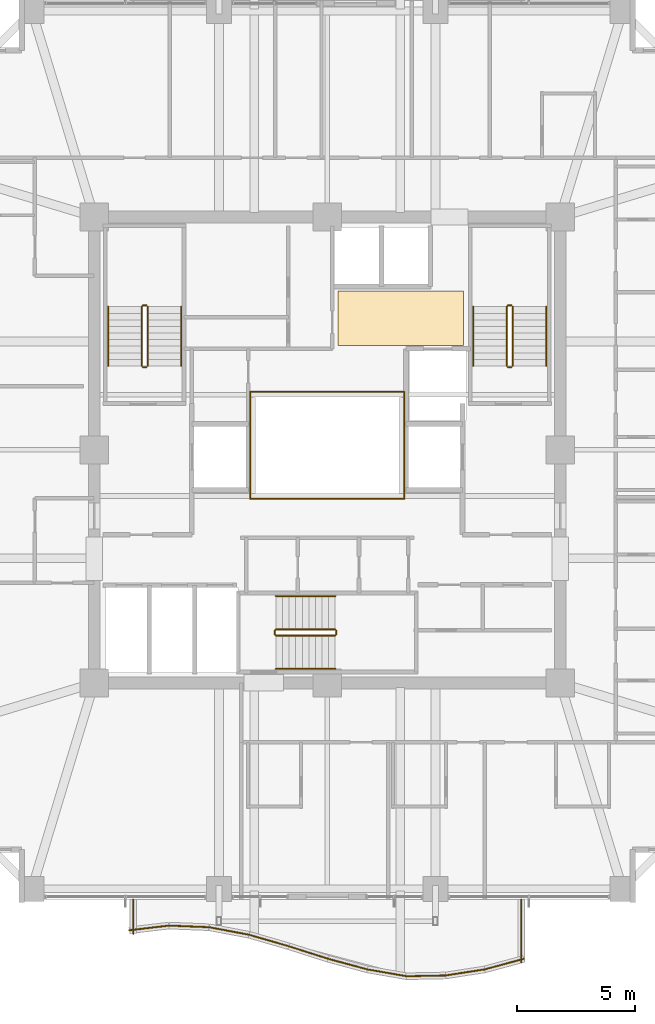
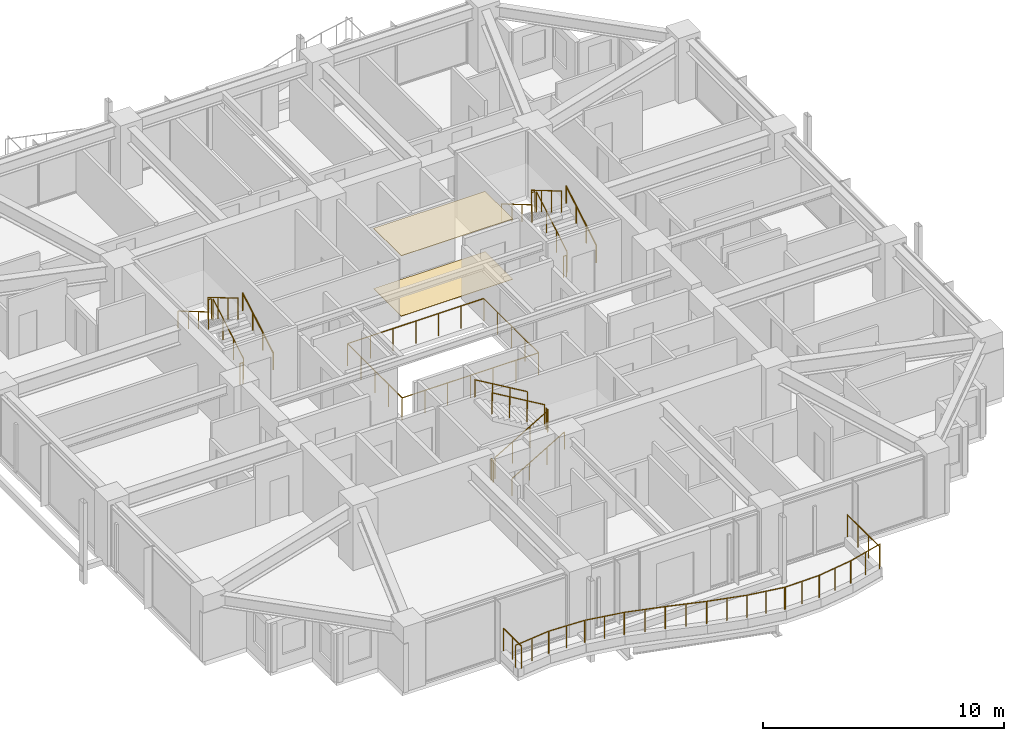
# One storey, part 33 of 34: 34 railings, 2 coverings.
"""IFC4 building model written with IfcOpenShell, lengths in metres."""

from ifc_helpers import new_model, si_unit, direction, frame, origin, origin_2d, place, context, subcontext, project, spatial, polyline, circle, outline, extrude, material, layer, layer_set, type_object, element, save


model = new_model("IFC4")

# Units and contexts
model_context = context("Model", 3, precision=1e-05, world=origin(), true_north=direction((0.0, 1.0)))
body_context = subcontext(model_context, "Body", "Model", "MODEL_VIEW")
ifc_project = project(units=[si_unit("LENGTHUNIT", "METRE"), si_unit("AREAUNIT", "SQUARE_METRE"), si_unit("VOLUMEUNIT", "CUBIC_METRE"), si_unit("PLANEANGLEUNIT", "RADIAN"), si_unit("MASSUNIT", "GRAM", prefix="KILO")], contexts=[model_context])

# Site, building, storey
site_placement = place(None, origin())
site = spatial("IfcSite", under=ifc_project, at=site_placement, CompositionType="ELEMENT")
building_placement = place(site_placement, origin())
building = spatial("IfcBuilding", under=site, at=building_placement, Name="Kolvaren Belvedere", CompositionType="ELEMENT")
storey_placement = place(building_placement, frame((0.0, 0.0, 111.800048828125)))
storey = spatial("IfcBuildingStorey", under=building, at=storey_placement, Name="L32", CompositionType="ELEMENT", Elevation=111.800048828125)

# Coverings
ifc_material_1 = material(Name="Acoustic perforated gypsum board", Category="gypsum")
ifc_layer_1 = layer(ifc_material_1, 0.02490234375)
ifc_layer_set_1 = layer_set([ifc_layer_1], Name="Acoustic perforated gypsum board")
covering_type_1 = type_object("IfcCoveringType", Name="COV-CEIL-GYP", PredefinedType="CEILING", material=ifc_layer_set_1)
covering_1_placement = place(storey_placement, frame((0.0, 0.0, 3.054931640625)))
element("IfcCovering", 1, at=covering_1_placement, inside=storey, type_object=covering_type_1, Name="L32 Lift Lobby Acoustic Baffle Ceiling", PredefinedType="CEILING", context=body_context, shape_type="SweptSolid", body=[
    extrude(outline(polyline([(0.449951171875, 4.449951171875), (5.800048828125, 4.449951171875), (5.800048828125, 6.75), (0.449951171875, 6.75), (0.449951171875, 4.449951171875)])), origin(), (0.0, 0.0, 1.0), 0.02490234375),
])
ifc_material_2 = material(Name="Engineered Pacific white oak", Category="timber")
ifc_layer_2 = layer(ifc_material_2, 0.02001953125)
ifc_layer_set_2 = layer_set([ifc_layer_2], Name="Engineered Pacific white oak")
covering_type_2 = type_object("IfcCoveringType", Name="COV-FLR-OAK", PredefinedType="FLOORING", material=ifc_layer_set_2)
covering_2_placement = place(storey_placement, origin())
element("IfcCovering", 2, at=covering_2_placement, inside=storey, type_object=covering_type_2, Name="L32 Lift Lobby Finish Flooring", PredefinedType="FLOORING", context=body_context, shape_type="SweptSolid", body=[
    extrude(outline(polyline([(0.449951171875, 4.449951171875), (5.800048828125, 4.449951171875), (5.800048828125, 6.75), (0.449951171875, 6.75), (0.449951171875, 4.449951171875)])), origin(), (0.0, 0.0, 1.0), 0.02001953125),
])

# Railings
ifc_material_3 = material(Name="Laminated glass & stainless-steel cap rail", Category="steel")
railing_type_1 = type_object("IfcRailingType", Name="RL-ATR-1150", PredefinedType="BALUSTRADE", material=ifc_material_3)
for number, where, name in (
    (3, (-3.27001953125, 2.469970703125, 0.0), "L32 Atrium North Glass Balustrade"),
    (4, (-3.27001953125, -2.070068359375, 0.0), "L32 Atrium South Glass Balustrade"),
):
    element("IfcRailing", number, at=place(storey_placement, frame(where)), inside=storey, type_object=railing_type_1, Name=name, PredefinedType="BALUSTRADE", context=body_context, shape_type="SweptSolid", body=[
        extrude(circle(Radius=0.02392578125, at=origin_2d()), frame((0.0, 0.0, 1.1259765625), z_axis=(1.0, 0.0, 0.0), x_axis=(0.0, 1.0, 0.0)), (0.0, 0.0, 1.0), 6.5400390625),
        extrude(circle(Radius=0.02099609375, at=origin_2d()), origin(), (0.0, 0.0, 1.0), 1.101806640625),
        extrude(circle(Radius=0.02099609375, at=origin_2d()), frame((1.090087890625, 0.0, 0.0)), (0.0, 0.0, 1.0), 1.101806640625),
        extrude(circle(Radius=0.02099609375, at=origin_2d()), frame((2.179931640625, 0.0, 0.0)), (0.0, 0.0, 1.0), 1.101806640625),
        extrude(circle(Radius=0.02099609375, at=origin_2d()), frame((3.27001953125, 0.0, 0.0)), (0.0, 0.0, 1.0), 1.101806640625),
        extrude(circle(Radius=0.02099609375, at=origin_2d()), frame((4.360107421875, 0.0, 0.0)), (0.0, 0.0, 1.0), 1.101806640625),
        extrude(circle(Radius=0.02099609375, at=origin_2d()), frame((5.449951171875, 0.0, 0.0)), (0.0, 0.0, 1.0), 1.101806640625),
        extrude(circle(Radius=0.02099609375, at=origin_2d()), frame((6.5400390625, 0.0, 0.0)), (0.0, 0.0, 1.0), 1.101806640625),
    ])
for number, where, name in (
    (5, (-3.27001953125, -2.070068359375, 0.0), "L32 Atrium West Glass Balustrade"),
    (6, (3.27001953125, -2.070068359375, 0.0), "L32 Atrium East Glass Balustrade"),
):
    element("IfcRailing", number, at=place(storey_placement, frame(where)), inside=storey, type_object=railing_type_1, Name=name, PredefinedType="BALUSTRADE", context=body_context, shape_type="SweptSolid", body=[
        extrude(circle(Radius=0.02392578125, at=origin_2d()), frame((0.0, 0.0, 1.1259765625), z_axis=(0.0, 1.0, 0.0), x_axis=(-1.0, 0.0, 0.0)), (0.0, 0.0, 1.0), 4.5400390625),
        extrude(circle(Radius=0.02099609375, at=origin_2d()), origin(), (0.0, 0.0, 1.0), 1.101806640625),
        extrude(circle(Radius=0.02099609375, at=origin_2d()), frame((0.0, 1.135009765625, 0.0)), (0.0, 0.0, 1.0), 1.101806640625),
        extrude(circle(Radius=0.02099609375, at=origin_2d()), frame((0.0, 2.27001953125, 0.0)), (0.0, 0.0, 1.0), 1.101806640625),
        extrude(circle(Radius=0.02099609375, at=origin_2d()), frame((0.0, 3.405029296875, 0.0)), (0.0, 0.0, 1.0), 1.101806640625),
        extrude(circle(Radius=0.02099609375, at=origin_2d()), frame((0.0, 4.5400390625, 0.0)), (0.0, 0.0, 1.0), 1.101806640625),
    ])
ifc_material_4 = material(Name="Anodised pale-metal aluminium & laminated glass guard", Category="aluminium")
railing_type_2 = type_object("IfcRailingType", Name="RL-GUARD-1150", PredefinedType="GUARDRAIL", material=ifc_material_4)
railing_1_placement = place(storey_placement, frame((-8.418701171875, -20.407470703125, 0.3798828125)))
element("IfcRailing", 7, at=railing_1_placement, inside=storey, type_object=railing_type_2, Name="L32 Exterior Deck Safety Guard BAL-S-1", PredefinedType="GUARDRAIL", context=body_context, shape_type="SweptSolid", body=[
    extrude(circle(Radius=0.02392578125, at=origin_2d()), frame((0.0, 0.0, 1.1259765625), z_axis=(0.993142720498, 0.116908240605, 0.0), x_axis=(-0.116908240605, 0.993142720498, 0.0)), (0.0, 0.0, 1.0), 1.691650390625),
    extrude(circle(Radius=0.02099609375, at=origin_2d()), origin(), (0.0, 0.0, 1.0), 1.101806640625),
    extrude(circle(Radius=0.02099609375, at=origin_2d()), frame((0.83984375, 0.098876953125, 0.0)), (0.0, 0.0, 1.0), 1.101806640625),
    extrude(circle(Radius=0.02099609375, at=origin_2d()), frame((1.679931640625, 0.19775390625, 0.0)), (0.0, 0.0, 1.0), 1.101806640625),
])
railing_2_placement = place(storey_placement, frame((-6.713623046875, -20.20849609375, 0.3798828125)))
element("IfcRailing", 8, at=railing_2_placement, inside=storey, type_object=railing_type_2, Name="L32 Exterior Deck Safety Guard BAL-S-2", PredefinedType="GUARDRAIL", context=body_context, shape_type="SweptSolid", body=[
    extrude(circle(Radius=0.02392578125, at=origin_2d()), frame((0.0, 0.0, 1.1259765625), z_axis=(0.999196545286, -0.040078222133, 0.0), x_axis=(0.040078222133, 0.999196545286, 0.0)), (0.0, 0.0, 1.0), 1.681396484375),
    extrude(circle(Radius=0.02099609375, at=origin_2d()), origin(), (0.0, 0.0, 1.0), 1.101806640625),
    extrude(circle(Radius=0.02099609375, at=origin_2d()), frame((0.83984375, -0.03369140625, 0.0)), (0.0, 0.0, 1.0), 1.101806640625),
    extrude(circle(Radius=0.02099609375, at=origin_2d()), frame((1.679931640625, -0.0673828125, 0.0)), (0.0, 0.0, 1.0), 1.101806640625),
])
railing_3_placement = place(storey_placement, frame((-5.010498046875, -20.278564453125, 0.3798828125)))
element("IfcRailing", 9, at=railing_3_placement, inside=storey, type_object=railing_type_2, Name="L32 Exterior Deck Safety Guard BAL-S-3", PredefinedType="GUARDRAIL", context=body_context, shape_type="SweptSolid", body=[
    extrude(circle(Radius=0.02392578125, at=origin_2d()), frame((0.0, 0.0, 1.1259765625), z_axis=(0.982778293957, -0.184788595231, 0.0), x_axis=(0.184788595231, 0.982778293957, 0.0)), (0.0, 0.0, 1.0), 1.709716796875),
    extrude(circle(Radius=0.02099609375, at=origin_2d()), origin(), (0.0, 0.0, 1.0), 1.101806640625),
    extrude(circle(Radius=0.02099609375, at=origin_2d()), frame((0.840087890625, -0.157958984375, 0.0)), (0.0, 0.0, 1.0), 1.101806640625),
    extrude(circle(Radius=0.02099609375, at=origin_2d()), frame((1.68017578125, -0.31591796875, 0.0)), (0.0, 0.0, 1.0), 1.101806640625),
])
railing_4_placement = place(storey_placement, frame((-3.3154296875, -20.597900390625, 0.3798828125)))
element("IfcRailing", 10, at=railing_4_placement, inside=storey, type_object=railing_type_2, Name="L32 Exterior Deck Safety Guard BAL-S-4", PredefinedType="GUARDRAIL", context=body_context, shape_type="SweptSolid", body=[
    extrude(circle(Radius=0.02392578125, at=origin_2d()), frame((0.0, 0.0, 1.1259765625), z_axis=(0.96059663827, -0.277946215201, 0.0), x_axis=(0.277946215201, 0.96059663827, 0.0)), (0.0, 0.0, 1.0), 1.748779296875),
    extrude(circle(Radius=0.02099609375, at=origin_2d()), origin(), (0.0, 0.0, 1.0), 1.101806640625),
    extrude(circle(Radius=0.02099609375, at=origin_2d()), frame((0.83984375, -0.2431640625, 0.0)), (0.0, 0.0, 1.0), 1.101806640625),
    extrude(circle(Radius=0.02099609375, at=origin_2d()), frame((1.679931640625, -0.486083984375, 0.0)), (0.0, 0.0, 1.0), 1.101806640625),
])
railing_5_placement = place(storey_placement, frame((-1.63134765625, -21.085205078125, 0.3798828125)))
element("IfcRailing", 11, at=railing_5_placement, inside=storey, type_object=railing_type_2, Name="L32 Exterior Deck Safety Guard BAL-S-5", PredefinedType="GUARDRAIL", context=body_context, shape_type="SweptSolid", body=[
    extrude(circle(Radius=0.02392578125, at=origin_2d()), frame((0.0, 0.0, 1.1259765625), z_axis=(0.952661770826, -0.304032153573, 0.0), x_axis=(0.304032153573, 0.952661770826, 0.0)), (0.0, 0.0, 1.0), 1.763427734375),
    extrude(circle(Radius=0.02099609375, at=origin_2d()), origin(), (0.0, 0.0, 1.0), 1.101806640625),
    extrude(circle(Radius=0.02099609375, at=origin_2d()), frame((0.83984375, -0.26806640625, 0.0)), (0.0, 0.0, 1.0), 1.101806640625),
    extrude(circle(Radius=0.02099609375, at=origin_2d()), frame((1.679931640625, -0.5361328125, 0.0)), (0.0, 0.0, 1.0), 1.101806640625),
])
railing_6_placement = place(storey_placement, frame((0.041748046875, -21.619140625, 0.3798828125)))
element("IfcRailing", 12, at=railing_6_placement, inside=storey, type_object=railing_type_2, Name="L32 Exterior Deck Safety Guard BAL-S-6", PredefinedType="GUARDRAIL", context=body_context, shape_type="SweptSolid", body=[
    extrude(circle(Radius=0.02392578125, at=origin_2d()), frame((0.0, 0.0, 1.1259765625), z_axis=(0.965424492388, -0.260682852326, 0.0), x_axis=(0.260682852326, 0.965424492388, 0.0)), (0.0, 0.0, 1.0), 1.739990234375),
    extrude(circle(Radius=0.02099609375, at=origin_2d()), origin(), (0.0, 0.0, 1.0), 1.101806640625),
    extrude(circle(Radius=0.02099609375, at=origin_2d()), frame((0.83984375, -0.226806640625, 0.0)), (0.0, 0.0, 1.0), 1.101806640625),
    extrude(circle(Radius=0.02099609375, at=origin_2d()), frame((1.679931640625, -0.45361328125, 0.0)), (0.0, 0.0, 1.0), 1.101806640625),
])
railing_7_placement = place(storey_placement, frame((1.70751953125, -22.069580078125, 0.3798828125)))
element("IfcRailing", 13, at=railing_7_placement, inside=storey, type_object=railing_type_2, Name="L32 Exterior Deck Safety Guard BAL-S-7", PredefinedType="GUARDRAIL", context=body_context, shape_type="SweptSolid", body=[
    extrude(circle(Radius=0.02392578125, at=origin_2d()), frame((0.0, 0.0, 1.1259765625), z_axis=(0.985156010777, -0.171661394699, 0.0), x_axis=(0.171661394699, 0.985156010777, 0.0)), (0.0, 0.0, 1.0), 1.705322265625),
    extrude(circle(Radius=0.02099609375, at=origin_2d()), origin(), (0.0, 0.0, 1.0), 1.101806640625),
    extrude(circle(Radius=0.02099609375, at=origin_2d()), frame((0.83984375, -0.146484375, 0.0)), (0.0, 0.0, 1.0), 1.101806640625),
    extrude(circle(Radius=0.02099609375, at=origin_2d()), frame((1.679931640625, -0.292724609375, 0.0)), (0.0, 0.0, 1.0), 1.101806640625),
])
railing_8_placement = place(storey_placement, frame((3.356689453125, -22.360107421875, 0.3798828125)))
element("IfcRailing", 14, at=railing_8_placement, inside=storey, type_object=railing_type_2, Name="L32 Exterior Deck Safety Guard BAL-S-8", PredefinedType="GUARDRAIL", context=body_context, shape_type="SweptSolid", body=[
    extrude(circle(Radius=0.02392578125, at=origin_2d()), frame((0.0, 0.0, 1.1259765625), z_axis=(0.99979609052, 0.020193498486, 0.0), x_axis=(-0.020193498486, 0.99979609052, 0.0)), (0.0, 0.0, 1.0), 1.680419921875),
    extrude(circle(Radius=0.02099609375, at=origin_2d()), origin(), (0.0, 0.0, 1.0), 1.101806640625),
    extrude(circle(Radius=0.02099609375, at=origin_2d()), frame((0.840087890625, 0.01708984375, 0.0)), (0.0, 0.0, 1.0), 1.101806640625),
    extrude(circle(Radius=0.02099609375, at=origin_2d()), frame((1.68017578125, 0.033935546875, 0.0)), (0.0, 0.0, 1.0), 1.101806640625),
])
railing_9_placement = place(storey_placement, frame((5.015625, -22.327880859375, 0.3798828125)))
element("IfcRailing", 15, at=railing_9_placement, inside=storey, type_object=railing_type_2, Name="L32 Exterior Deck Safety Guard BAL-S-9", PredefinedType="GUARDRAIL", context=body_context, shape_type="SweptSolid", body=[
    extrude(circle(Radius=0.02392578125, at=origin_2d()), frame((0.0, 0.0, 1.1259765625), z_axis=(0.988341789514, 0.152251460091, 0.0), x_axis=(-0.152251460091, 0.988341789514, 0.0)), (0.0, 0.0, 1.0), 1.69970703125),
    extrude(circle(Radius=0.02099609375, at=origin_2d()), origin(), (0.0, 0.0, 1.0), 1.101806640625),
    extrude(circle(Radius=0.02099609375, at=origin_2d()), frame((0.83984375, 0.12939453125, 0.0)), (0.0, 0.0, 1.0), 1.101806640625),
    extrude(circle(Radius=0.02099609375, at=origin_2d()), frame((1.679931640625, 0.2587890625, 0.0)), (0.0, 0.0, 1.0), 1.101806640625),
])
railing_10_placement = place(storey_placement, frame((6.67822265625, -22.07275390625, 0.3798828125)))
element("IfcRailing", 16, at=railing_10_placement, inside=storey, type_object=railing_type_2, Name="L32 Exterior Deck Safety Guard BAL-S-10", PredefinedType="GUARDRAIL", context=body_context, shape_type="SweptSolid", body=[
    extrude(circle(Radius=0.02392578125, at=origin_2d()), frame((0.0, 0.0, 1.1259765625), z_axis=(0.965434024814, 0.260647546949, 0.0), x_axis=(-0.260647546949, 0.965434024814, 0.0)), (0.0, 0.0, 1.0), 1.740234375),
    extrude(circle(Radius=0.02099609375, at=origin_2d()), origin(), (0.0, 0.0, 1.0), 1.101806640625),
    extrude(circle(Radius=0.02099609375, at=origin_2d()), frame((0.840087890625, 0.226806640625, 0.0)), (0.0, 0.0, 1.0), 1.101806640625),
    extrude(circle(Radius=0.02099609375, at=origin_2d()), frame((1.68017578125, 0.45361328125, 0.0)), (0.0, 0.0, 1.0), 1.101806640625),
])
railing_11_placement = place(storey_placement, frame((8.239990234375, -21.773681640625, 0.3798828125)))
element("IfcRailing", 17, at=railing_11_placement, inside=storey, type_object=railing_type_2, Name="L32 Exterior Deck Safety Guard BAL-S-11", PredefinedType="GUARDRAIL", context=body_context, shape_type="SweptSolid", body=[
    extrude(circle(Radius=0.02392578125, at=origin_2d()), frame((0.0, 0.0, 1.1259765625), z_axis=(0.0, 1.0, 0.0), x_axis=(-1.0, 0.0, 0.0)), (0.0, 0.0, 1.0), 2.673583984375),
    extrude(circle(Radius=0.02099609375, at=origin_2d()), origin(), (0.0, 0.0, 1.0), 1.101806640625),
    extrude(circle(Radius=0.02099609375, at=origin_2d()), frame((0.0, 0.89111328125, 0.0)), (0.0, 0.0, 1.0), 1.101806640625),
    extrude(circle(Radius=0.02099609375, at=origin_2d()), frame((0.0, 1.782470703125, 0.0)), (0.0, 0.0, 1.0), 1.101806640625),
    extrude(circle(Radius=0.02099609375, at=origin_2d()), frame((0.0, 2.673583984375, 0.0)), (0.0, 0.0, 1.0), 1.101806640625),
])
railing_12_placement = place(storey_placement, frame((-8.239990234375, -19.10009765625, 0.3798828125)))
element("IfcRailing", 18, at=railing_12_placement, inside=storey, type_object=railing_type_2, Name="L32 Exterior Deck Safety Guard BAL-S-22", PredefinedType="GUARDRAIL", context=body_context, shape_type="SweptSolid", body=[
    extrude(circle(Radius=0.02392578125, at=origin_2d()), frame((0.0, 0.0, 1.1259765625), z_axis=(0.0, -1.0, 0.0), x_axis=(1.0, 0.0, 0.0)), (0.0, 0.0, 1.0), 1.46630859375),
    extrude(circle(Radius=0.02099609375, at=origin_2d()), origin(), (0.0, 0.0, 1.0), 1.101806640625),
    extrude(circle(Radius=0.02099609375, at=origin_2d()), frame((0.0, -0.733154296875, 0.0)), (0.0, 0.0, 1.0), 1.101806640625),
    extrude(circle(Radius=0.02099609375, at=origin_2d()), frame((0.0, -1.46630859375, 0.0)), (0.0, 0.0, 1.0), 1.101806640625),
])
ifc_material_5 = material(Name="Brushed stainless-steel handrail", Category="steel")
railing_type_3 = type_object("IfcRailingType", Name="RL-HANDRAIL-920", PredefinedType="HANDRAIL", material=ifc_material_5)
railing_13_placement = place(storey_placement, frame((-6.2099609375, 3.570068359375, 0.1650390625)))
element("IfcRailing", 19, at=railing_13_placement, inside=storey, type_object=railing_type_3, Name="L32 ST-1 stair handrail 1", PredefinedType="HANDRAIL", context=body_context, shape_type="SweptSolid", body=[
    extrude(circle(Radius=0.02392578125, at=origin_2d()), frame((0.0, 0.0, 0.8759765625), z_axis=(0.0, 0.861560626758, 0.507654692109), x_axis=(-1.0, 0.0, 0.0)), (0.0, 0.0, 1.0), 2.925048828125),
    extrude(circle(Radius=0.02099609375, at=origin_2d()), origin(), (0.0, 0.0, 1.0), 0.851806640625),
    extrude(circle(Radius=0.02099609375, at=origin_2d()), frame((0.0, 0.840087890625, 0.494873046875)), (0.0, 0.0, 1.0), 0.851806640625),
    extrude(circle(Radius=0.02099609375, at=origin_2d()), frame((0.0, 1.679931640625, 0.989990234375)), (0.0, 0.0, 1.0), 0.851806640625),
    extrude(circle(Radius=0.02099609375, at=origin_2d()), frame((0.0, 2.52001953125, 1.48486328125)), (0.0, 0.0, 1.0), 0.851806640625),
])
railing_14_placement = place(storey_placement, frame((-9.300048828125, 6.090087890625, 1.81494140625)))
element("IfcRailing", 20, at=railing_14_placement, inside=storey, type_object=railing_type_3, Name="L32 ST-1 stair handrail 2", PredefinedType="HANDRAIL", context=body_context, shape_type="SweptSolid", body=[
    extrude(circle(Radius=0.02392578125, at=origin_2d()), frame((0.0, 0.0, 0.8759765625), z_axis=(0.0, -0.86152411907, 0.507716645641), x_axis=(1.0, 0.0, 0.0)), (0.0, 0.0, 1.0), 2.925048828125),
    extrude(circle(Radius=0.02099609375, at=origin_2d()), origin(), (0.0, 0.0, 1.0), 0.851806640625),
    extrude(circle(Radius=0.02099609375, at=origin_2d()), frame((0.0, -0.840087890625, 0.4951171875)), (0.0, 0.0, 1.0), 0.851806640625),
    extrude(circle(Radius=0.02099609375, at=origin_2d()), frame((0.0, -1.679931640625, 0.989990234375)), (0.0, 0.0, 1.0), 0.851806640625),
    extrude(circle(Radius=0.02099609375, at=origin_2d()), frame((0.0, -2.52001953125, 1.485107421875)), (0.0, 0.0, 1.0), 0.851806640625),
])
railing_15_placement = place(storey_placement, frame((9.300048828125, 3.570068359375, 0.1650390625)))
element("IfcRailing", 21, at=railing_15_placement, inside=storey, type_object=railing_type_3, Name="L32 ST-2 stair handrail 1", PredefinedType="HANDRAIL", context=body_context, shape_type="SweptSolid", body=[
    extrude(circle(Radius=0.02392578125, at=origin_2d()), frame((0.0, 0.0, 0.8759765625), z_axis=(0.0, 0.861560626758, 0.507654692109), x_axis=(-1.0, 0.0, 0.0)), (0.0, 0.0, 1.0), 2.925048828125),
    extrude(circle(Radius=0.02099609375, at=origin_2d()), origin(), (0.0, 0.0, 1.0), 0.851806640625),
    extrude(circle(Radius=0.02099609375, at=origin_2d()), frame((0.0, 0.840087890625, 0.494873046875)), (0.0, 0.0, 1.0), 0.851806640625),
    extrude(circle(Radius=0.02099609375, at=origin_2d()), frame((0.0, 1.679931640625, 0.989990234375)), (0.0, 0.0, 1.0), 0.851806640625),
    extrude(circle(Radius=0.02099609375, at=origin_2d()), frame((0.0, 2.52001953125, 1.48486328125)), (0.0, 0.0, 1.0), 0.851806640625),
])
railing_16_placement = place(storey_placement, frame((6.2099609375, 6.090087890625, 1.81494140625)))
element("IfcRailing", 22, at=railing_16_placement, inside=storey, type_object=railing_type_3, Name="L32 ST-2 stair handrail 2", PredefinedType="HANDRAIL", context=body_context, shape_type="SweptSolid", body=[
    extrude(circle(Radius=0.02392578125, at=origin_2d()), frame((0.0, 0.0, 0.8759765625), z_axis=(0.0, -0.86152411907, 0.507716645641), x_axis=(1.0, 0.0, 0.0)), (0.0, 0.0, 1.0), 2.925048828125),
    extrude(circle(Radius=0.02099609375, at=origin_2d()), origin(), (0.0, 0.0, 1.0), 0.851806640625),
    extrude(circle(Radius=0.02099609375, at=origin_2d()), frame((0.0, -0.840087890625, 0.4951171875)), (0.0, 0.0, 1.0), 0.851806640625),
    extrude(circle(Radius=0.02099609375, at=origin_2d()), frame((0.0, -1.679931640625, 0.989990234375)), (0.0, 0.0, 1.0), 0.851806640625),
    extrude(circle(Radius=0.02099609375, at=origin_2d()), frame((0.0, -2.52001953125, 1.485107421875)), (0.0, 0.0, 1.0), 0.851806640625),
])
railing_17_placement = place(storey_placement, frame((-2.179931640625, -9.300048828125, 0.1650390625)))
element("IfcRailing", 23, at=railing_17_placement, inside=storey, type_object=railing_type_3, Name="L32 ST-3 stair handrail 1", PredefinedType="HANDRAIL", context=body_context, shape_type="SweptSolid", body=[
    extrude(circle(Radius=0.02392578125, at=origin_2d()), frame((0.0, 0.0, 0.8759765625), z_axis=(0.861560626758, 0.0, 0.507654692109), x_axis=(0.0, 1.0, 0.0)), (0.0, 0.0, 1.0), 2.925048828125),
    extrude(circle(Radius=0.02099609375, at=origin_2d()), origin(), (0.0, 0.0, 1.0), 0.851806640625),
    extrude(circle(Radius=0.02099609375, at=origin_2d()), frame((0.840087890625, 0.0, 0.494873046875)), (0.0, 0.0, 1.0), 0.851806640625),
    extrude(circle(Radius=0.02099609375, at=origin_2d()), frame((1.679931640625, 0.0, 0.989990234375)), (0.0, 0.0, 1.0), 0.851806640625),
    extrude(circle(Radius=0.02099609375, at=origin_2d()), frame((2.52001953125, 0.0, 1.48486328125)), (0.0, 0.0, 1.0), 0.851806640625),
])
railing_18_placement = place(storey_placement, frame((0.340087890625, -6.2099609375, 1.81494140625)))
element("IfcRailing", 24, at=railing_18_placement, inside=storey, type_object=railing_type_3, Name="L32 ST-3 stair handrail 2", PredefinedType="HANDRAIL", context=body_context, shape_type="SweptSolid", body=[
    extrude(circle(Radius=0.02392578125, at=origin_2d()), frame((0.0, 0.0, 0.8759765625), z_axis=(-0.86152411907, 0.0, 0.507716645641), x_axis=(0.0, -1.0, 0.0)), (0.0, 0.0, 1.0), 2.925048828125),
    extrude(circle(Radius=0.02099609375, at=origin_2d()), origin(), (0.0, 0.0, 1.0), 0.851806640625),
    extrude(circle(Radius=0.02099609375, at=origin_2d()), frame((-0.840087890625, 0.0, 0.4951171875)), (0.0, 0.0, 1.0), 0.851806640625),
    extrude(circle(Radius=0.02099609375, at=origin_2d()), frame((-1.679931640625, 0.0, 0.989990234375)), (0.0, 0.0, 1.0), 0.851806640625),
    extrude(circle(Radius=0.02099609375, at=origin_2d()), frame((-2.52001953125, 0.0, 1.485107421875)), (0.0, 0.0, 1.0), 0.851806640625),
])
ifc_material_6 = material(Name="Painted tubular steel stair guard", Category="steel")
railing_type_4 = type_object("IfcRailingType", Name="RL-STGUARD-1100", PredefinedType="GUARDRAIL", material=ifc_material_6)
railing_19_placement = place(storey_placement, frame((-7.6298828125, 3.570068359375, 0.1650390625)))
element("IfcRailing", 25, at=railing_19_placement, inside=storey, type_object=railing_type_4, Name="L32 ST-1 stair guard 1", PredefinedType="GUARDRAIL", context=body_context, shape_type="SweptSolid", body=[
    extrude(circle(Radius=0.02392578125, at=origin_2d()), frame((0.0, 0.0, 1.076171875), z_axis=(0.0, 0.861560626758, 0.507654692109), x_axis=(-1.0, 0.0, 0.0)), (0.0, 0.0, 1.0), 2.925048828125),
    extrude(circle(Radius=0.02099609375, at=origin_2d()), origin(), (0.0, 0.0, 1.0), 1.052001953125),
    extrude(circle(Radius=0.02099609375, at=origin_2d()), frame((0.0, 0.840087890625, 0.494873046875)), (0.0, 0.0, 1.0), 1.052001953125),
    extrude(circle(Radius=0.02099609375, at=origin_2d()), frame((0.0, 1.679931640625, 0.989990234375)), (0.0, 0.0, 1.0), 1.052001953125),
    extrude(circle(Radius=0.02099609375, at=origin_2d()), frame((0.0, 2.52001953125, 1.48486328125)), (0.0, 0.0, 1.0), 1.052001953125),
])
railing_20_placement = place(storey_placement, frame((-7.679931640625, 6.139892578125, 1.64990234375)))
element("IfcRailing", 26, at=railing_20_placement, inside=storey, type_object=railing_type_4, Name="L32 ST-1 stair guard 2", PredefinedType="GUARDRAIL", context=body_context, shape_type="SweptSolid", body=[
    extrude(circle(Radius=0.02392578125, at=origin_2d()), frame((0.0, 0.0, 1.076171875), z_axis=(-1.0, 0.0, 0.0), x_axis=(0.0, -1.0, 0.0)), (0.0, 0.0, 1.0), 0.150146484375),
    extrude(circle(Radius=0.02099609375, at=origin_2d()), origin(), (0.0, 0.0, 1.0), 1.052001953125),
    extrude(circle(Radius=0.02099609375, at=origin_2d()), frame((-0.150146484375, 0.0, 0.0)), (0.0, 0.0, 1.0), 1.052001953125),
])
railing_21_placement = place(storey_placement, frame((-7.8798828125, 6.090087890625, 1.81494140625)))
element("IfcRailing", 27, at=railing_21_placement, inside=storey, type_object=railing_type_4, Name="L32 ST-1 stair guard 3", PredefinedType="GUARDRAIL", context=body_context, shape_type="SweptSolid", body=[
    extrude(circle(Radius=0.02392578125, at=origin_2d()), frame((0.0, 0.0, 1.076171875), z_axis=(0.0, -0.86152411907, 0.507716645641), x_axis=(1.0, 0.0, 0.0)), (0.0, 0.0, 1.0), 2.925048828125),
    extrude(circle(Radius=0.02099609375, at=origin_2d()), origin(), (0.0, 0.0, 1.0), 1.052001953125),
    extrude(circle(Radius=0.02099609375, at=origin_2d()), frame((0.0, -0.840087890625, 0.4951171875)), (0.0, 0.0, 1.0), 1.052001953125),
    extrude(circle(Radius=0.02099609375, at=origin_2d()), frame((0.0, -1.679931640625, 0.989990234375)), (0.0, 0.0, 1.0), 1.052001953125),
    extrude(circle(Radius=0.02099609375, at=origin_2d()), frame((0.0, -2.52001953125, 1.485107421875)), (0.0, 0.0, 1.0), 1.052001953125),
])
railing_22_placement = place(storey_placement, frame((-7.679931640625, 3.52001953125, 0.0)))
element("IfcRailing", 28, at=railing_22_placement, inside=storey, type_object=railing_type_4, Name="L32 ST-1 stair guard 4", PredefinedType="GUARDRAIL", context=body_context, shape_type="SweptSolid", body=[
    extrude(circle(Radius=0.02392578125, at=origin_2d()), frame((0.0, 0.0, 1.076171875), z_axis=(-1.0, 0.0, 0.0), x_axis=(0.0, -1.0, 0.0)), (0.0, 0.0, 1.0), 0.150146484375),
    extrude(circle(Radius=0.02099609375, at=origin_2d()), origin(), (0.0, 0.0, 1.0), 1.052001953125),
    extrude(circle(Radius=0.02099609375, at=origin_2d()), frame((-0.150146484375, 0.0, 0.0)), (0.0, 0.0, 1.0), 1.052001953125),
])
railing_23_placement = place(storey_placement, frame((7.8798828125, 3.570068359375, 0.1650390625)))
element("IfcRailing", 29, at=railing_23_placement, inside=storey, type_object=railing_type_4, Name="L32 ST-2 stair guard 1", PredefinedType="GUARDRAIL", context=body_context, shape_type="SweptSolid", body=[
    extrude(circle(Radius=0.02392578125, at=origin_2d()), frame((0.0, 0.0, 1.076171875), z_axis=(0.0, 0.861560626758, 0.507654692109), x_axis=(-1.0, 0.0, 0.0)), (0.0, 0.0, 1.0), 2.925048828125),
    extrude(circle(Radius=0.02099609375, at=origin_2d()), origin(), (0.0, 0.0, 1.0), 1.052001953125),
    extrude(circle(Radius=0.02099609375, at=origin_2d()), frame((0.0, 0.840087890625, 0.494873046875)), (0.0, 0.0, 1.0), 1.052001953125),
    extrude(circle(Radius=0.02099609375, at=origin_2d()), frame((0.0, 1.679931640625, 0.989990234375)), (0.0, 0.0, 1.0), 1.052001953125),
    extrude(circle(Radius=0.02099609375, at=origin_2d()), frame((0.0, 2.52001953125, 1.48486328125)), (0.0, 0.0, 1.0), 1.052001953125),
])
railing_24_placement = place(storey_placement, frame((7.830078125, 6.139892578125, 1.64990234375)))
element("IfcRailing", 30, at=railing_24_placement, inside=storey, type_object=railing_type_4, Name="L32 ST-2 stair guard 2", PredefinedType="GUARDRAIL", context=body_context, shape_type="SweptSolid", body=[
    extrude(circle(Radius=0.02392578125, at=origin_2d()), frame((0.0, 0.0, 1.076171875), z_axis=(-1.0, 0.0, 0.0), x_axis=(0.0, -1.0, 0.0)), (0.0, 0.0, 1.0), 0.150146484375),
    extrude(circle(Radius=0.02099609375, at=origin_2d()), origin(), (0.0, 0.0, 1.0), 1.052001953125),
    extrude(circle(Radius=0.02099609375, at=origin_2d()), frame((-0.150146484375, 0.0, 0.0)), (0.0, 0.0, 1.0), 1.052001953125),
])
railing_25_placement = place(storey_placement, frame((7.6298828125, 6.090087890625, 1.81494140625)))
element("IfcRailing", 31, at=railing_25_placement, inside=storey, type_object=railing_type_4, Name="L32 ST-2 stair guard 3", PredefinedType="GUARDRAIL", context=body_context, shape_type="SweptSolid", body=[
    extrude(circle(Radius=0.02392578125, at=origin_2d()), frame((0.0, 0.0, 1.076171875), z_axis=(0.0, -0.86152411907, 0.507716645641), x_axis=(1.0, 0.0, 0.0)), (0.0, 0.0, 1.0), 2.925048828125),
    extrude(circle(Radius=0.02099609375, at=origin_2d()), origin(), (0.0, 0.0, 1.0), 1.052001953125),
    extrude(circle(Radius=0.02099609375, at=origin_2d()), frame((0.0, -0.840087890625, 0.4951171875)), (0.0, 0.0, 1.0), 1.052001953125),
    extrude(circle(Radius=0.02099609375, at=origin_2d()), frame((0.0, -1.679931640625, 0.989990234375)), (0.0, 0.0, 1.0), 1.052001953125),
    extrude(circle(Radius=0.02099609375, at=origin_2d()), frame((0.0, -2.52001953125, 1.485107421875)), (0.0, 0.0, 1.0), 1.052001953125),
])
railing_26_placement = place(storey_placement, frame((7.830078125, 3.52001953125, 0.0)))
element("IfcRailing", 32, at=railing_26_placement, inside=storey, type_object=railing_type_4, Name="L32 ST-2 stair guard 4", PredefinedType="GUARDRAIL", context=body_context, shape_type="SweptSolid", body=[
    extrude(circle(Radius=0.02392578125, at=origin_2d()), frame((0.0, 0.0, 1.076171875), z_axis=(-1.0, 0.0, 0.0), x_axis=(0.0, -1.0, 0.0)), (0.0, 0.0, 1.0), 0.150146484375),
    extrude(circle(Radius=0.02099609375, at=origin_2d()), origin(), (0.0, 0.0, 1.0), 1.052001953125),
    extrude(circle(Radius=0.02099609375, at=origin_2d()), frame((-0.150146484375, 0.0, 0.0)), (0.0, 0.0, 1.0), 1.052001953125),
])
railing_27_placement = place(storey_placement, frame((-2.179931640625, -7.8798828125, 0.1650390625)))
element("IfcRailing", 33, at=railing_27_placement, inside=storey, type_object=railing_type_4, Name="L32 ST-3 stair guard 1", PredefinedType="GUARDRAIL", context=body_context, shape_type="SweptSolid", body=[
    extrude(circle(Radius=0.02392578125, at=origin_2d()), frame((0.0, 0.0, 1.076171875), z_axis=(0.861560626758, 0.0, 0.507654692109), x_axis=(0.0, 1.0, 0.0)), (0.0, 0.0, 1.0), 2.925048828125),
    extrude(circle(Radius=0.02099609375, at=origin_2d()), origin(), (0.0, 0.0, 1.0), 1.052001953125),
    extrude(circle(Radius=0.02099609375, at=origin_2d()), frame((0.840087890625, 0.0, 0.494873046875)), (0.0, 0.0, 1.0), 1.052001953125),
    extrude(circle(Radius=0.02099609375, at=origin_2d()), frame((1.679931640625, 0.0, 0.989990234375)), (0.0, 0.0, 1.0), 1.052001953125),
    extrude(circle(Radius=0.02099609375, at=origin_2d()), frame((2.52001953125, 0.0, 1.48486328125)), (0.0, 0.0, 1.0), 1.052001953125),
])
railing_28_placement = place(storey_placement, frame((0.389892578125, -7.830078125, 1.64990234375)))
element("IfcRailing", 34, at=railing_28_placement, inside=storey, type_object=railing_type_4, Name="L32 ST-3 stair guard 2", PredefinedType="GUARDRAIL", context=body_context, shape_type="SweptSolid", body=[
    extrude(circle(Radius=0.02392578125, at=origin_2d()), frame((0.0, 0.0, 1.076171875), z_axis=(0.0, 1.0, 0.0), x_axis=(-1.0, 0.0, 0.0)), (0.0, 0.0, 1.0), 0.150146484375),
    extrude(circle(Radius=0.02099609375, at=origin_2d()), origin(), (0.0, 0.0, 1.0), 1.052001953125),
    extrude(circle(Radius=0.02099609375, at=origin_2d()), frame((0.0, 0.150146484375, 0.0)), (0.0, 0.0, 1.0), 1.052001953125),
])
railing_29_placement = place(storey_placement, frame((0.340087890625, -7.6298828125, 1.81494140625)))
element("IfcRailing", 35, at=railing_29_placement, inside=storey, type_object=railing_type_4, Name="L32 ST-3 stair guard 3", PredefinedType="GUARDRAIL", context=body_context, shape_type="SweptSolid", body=[
    extrude(circle(Radius=0.02392578125, at=origin_2d()), frame((0.0, 0.0, 1.076171875), z_axis=(-0.86152411907, 0.0, 0.507716645641), x_axis=(0.0, -1.0, 0.0)), (0.0, 0.0, 1.0), 2.925048828125),
    extrude(circle(Radius=0.02099609375, at=origin_2d()), origin(), (0.0, 0.0, 1.0), 1.052001953125),
    extrude(circle(Radius=0.02099609375, at=origin_2d()), frame((-0.840087890625, 0.0, 0.4951171875)), (0.0, 0.0, 1.0), 1.052001953125),
    extrude(circle(Radius=0.02099609375, at=origin_2d()), frame((-1.679931640625, 0.0, 0.989990234375)), (0.0, 0.0, 1.0), 1.052001953125),
    extrude(circle(Radius=0.02099609375, at=origin_2d()), frame((-2.52001953125, 0.0, 1.485107421875)), (0.0, 0.0, 1.0), 1.052001953125),
])
railing_30_placement = place(storey_placement, frame((-2.22998046875, -7.830078125, 0.0)))
element("IfcRailing", 36, at=railing_30_placement, inside=storey, type_object=railing_type_4, Name="L32 ST-3 stair guard 4", PredefinedType="GUARDRAIL", context=body_context, shape_type="SweptSolid", body=[
    extrude(circle(Radius=0.02392578125, at=origin_2d()), frame((0.0, 0.0, 1.076171875), z_axis=(0.0, 1.0, 0.0), x_axis=(-1.0, 0.0, 0.0)), (0.0, 0.0, 1.0), 0.150146484375),
    extrude(circle(Radius=0.02099609375, at=origin_2d()), origin(), (0.0, 0.0, 1.0), 1.052001953125),
    extrude(circle(Radius=0.02099609375, at=origin_2d()), frame((0.0, 0.150146484375, 0.0)), (0.0, 0.0, 1.0), 1.052001953125),
])

save(model, "model.ifc")
